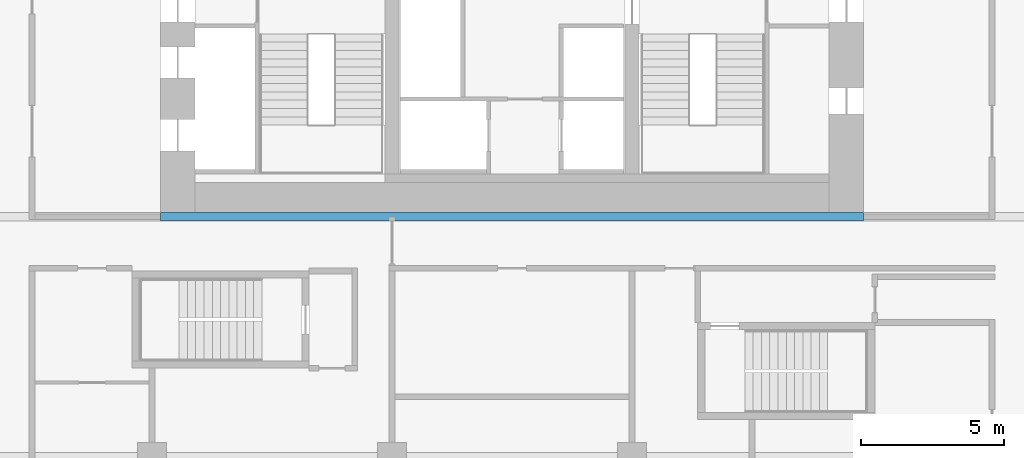
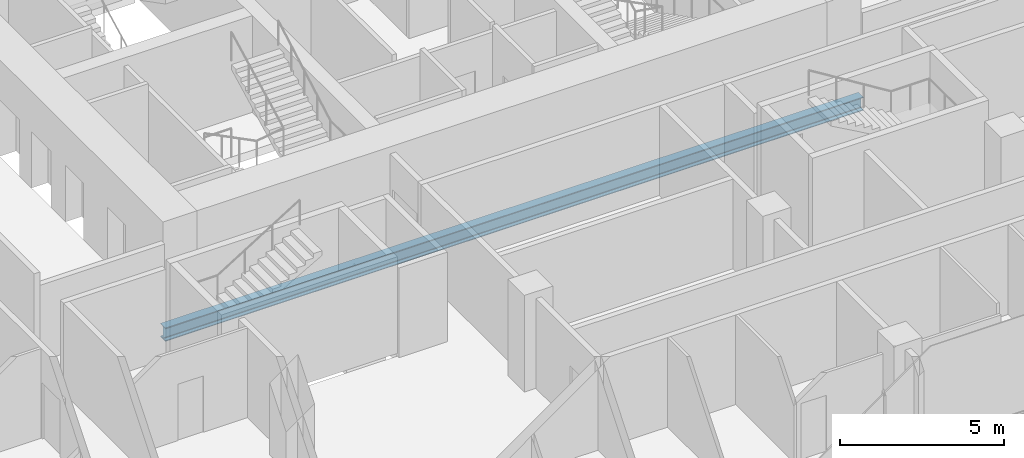
# One storey, part 5 of 25: 1 beam.
"""IFC4 building model written with IfcOpenShell, lengths in metres."""

from ifc_helpers import new_model, si_unit, direction, frame, origin, origin_2d, place, context, subcontext, project, spatial, i_section, extrude, material, material_profile, profile_set, type_object, element, save


model = new_model("IFC4")

# Units and contexts
model_context = context("Model", 3, precision=1e-05, world=origin(), true_north=direction((0.0, 1.0)))
body_context = subcontext(model_context, "Body", "Model", "MODEL_VIEW")
ifc_project = project(units=[si_unit("LENGTHUNIT", "METRE"), si_unit("AREAUNIT", "SQUARE_METRE"), si_unit("VOLUMEUNIT", "CUBIC_METRE"), si_unit("PLANEANGLEUNIT", "RADIAN"), si_unit("MASSUNIT", "GRAM", prefix="KILO")], contexts=[model_context])

# Site, building, storey
site_placement = place(None, origin())
site = spatial("IfcSite", under=ifc_project, at=site_placement, CompositionType="ELEMENT")
building_placement = place(site_placement, origin())
building = spatial("IfcBuilding", under=site, at=building_placement, Name="Marenta Gate Hotel Tower", CompositionType="ELEMENT")
storey_placement = place(building_placement, frame((0.0, 0.0, 50.89990234375)))
storey = spatial("IfcBuildingStorey", under=building, at=storey_placement, Name="L10", CompositionType="ELEMENT", Elevation=50.89990234375)

# Beam
ifc_material = material(Name="Steel S355", Category="steel")
ifc_material_profile = material_profile(ifc_material, i_section(OverallWidth=0.300048828125, OverallDepth=0.5, WebThickness=0.014404296875, FlangeThickness=0.028076171875, FilletRadius=0.027099609375, at=origin_2d()), Name="HEB 500")
ifc_profile_set = profile_set([ifc_material_profile], Name="Steel S355")
beam_type = type_object("IfcBeamType", Name="Girder HEB 500", PredefinedType="BEAM", material=ifc_profile_set)
beam_placement = place(storey_placement, frame((-12.300048828125, 0.0, -0.510009765625), z_axis=(1.0, 0.0, 0.0), x_axis=(0.0, 1.0, 0.0)))
element("IfcBeam", 1, at=beam_placement, inside=storey, type_object=beam_type, Name="L10-GD-10", PredefinedType="BEAM", context=body_context, shape_type="SweptSolid", body=[
    extrude(i_section(OverallWidth=0.300048828125, OverallDepth=0.5, WebThickness=0.014404296875, FlangeThickness=0.028076171875, FilletRadius=0.027099609375, at=origin_2d()), origin(), (0.0, 0.0, 1.0), 24.60009765625),
])

save(model, "model.ifc")
